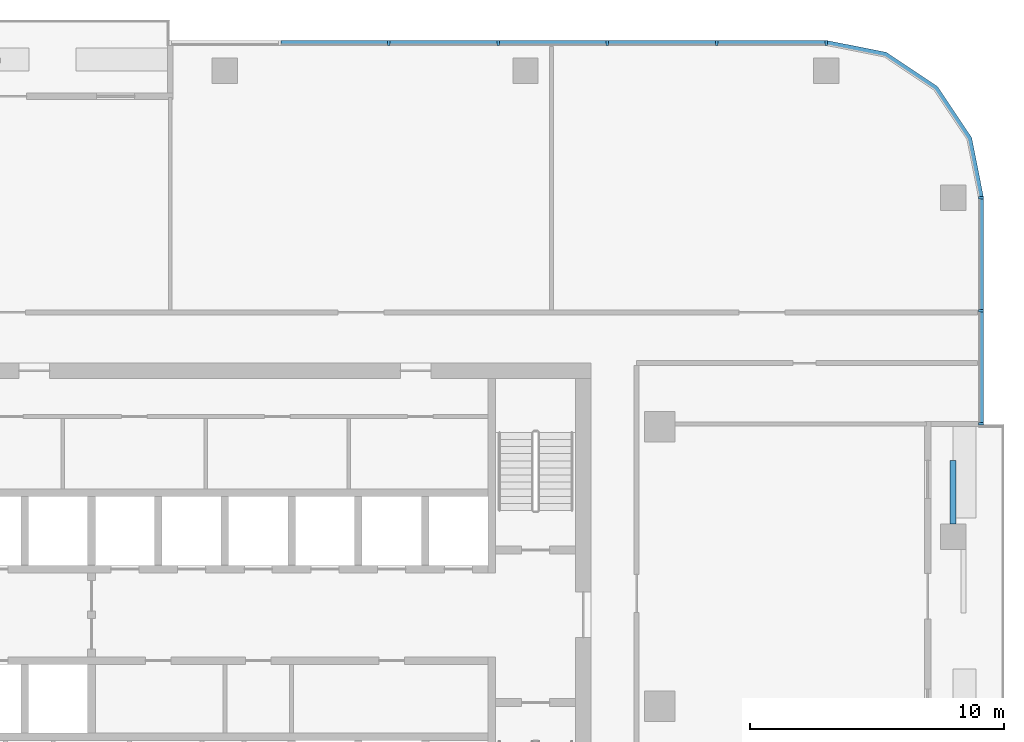
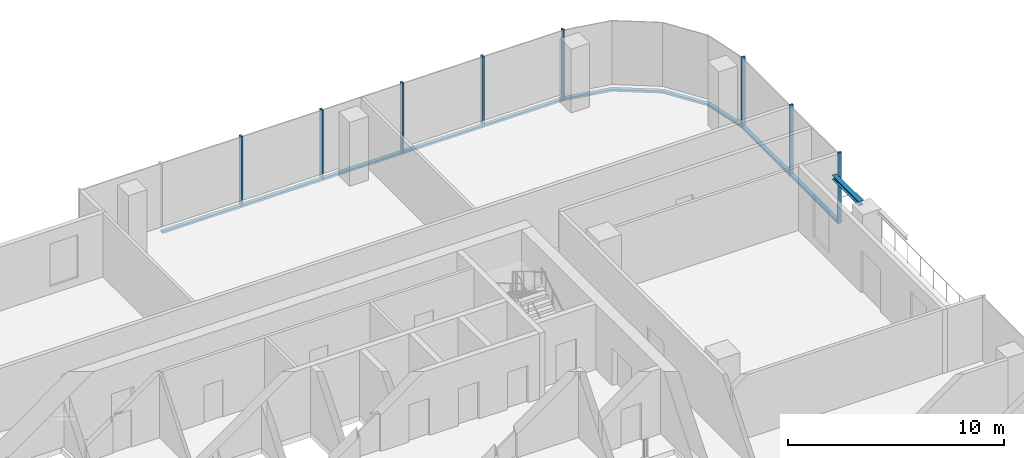
# One storey, part 5 of 13: 16 members, 1 beam, 3 elements without a shape of their own.
"""IFC4 building model written with IfcOpenShell, lengths in metres."""

import ifcopenshell
import ifcopenshell.guid

model = None  # the IFC model being written
_history = None  # IfcOwnerHistory: only IFC2X3 demands one
_inside = {}  # id of a spatial element -> (the spatial element, [elements in it])
_under = {}  # id of a project, library or spatial element -> (it, [spatial elements below it])
_declared = {}  # id of a project -> (the project, [libraries it declares])
_typed = {}  # id of a type object -> (the type object, [elements of that type])
_made_of = {}  # id of a material, layer set ... -> (it, [elements and type objects made of it])


def new_model(schema):
    """Start an empty IFC model of exactly this schema.

    Asked for "IFC4X3", IfcOpenShell would pick the latest addendum, in which some entities
    have other attributes; the version numbers below select the first issue.
    IFC2X3 requires an IfcOwnerHistory on every rooted entity: one is made here for all.
    """
    global model, _history
    if schema == "IFC4X3":
        model = ifcopenshell.file(schema_version=(4, 3, 0, 0))
    else:
        model = ifcopenshell.file(schema=schema)
    _inside.clear()
    _under.clear()
    _declared.clear()
    _typed.clear()
    _made_of.clear()
    _history = None
    if model.schema == "IFC2X3":
        org = make("IfcOrganization", Name="unknown")
        user = make(
            "IfcPersonAndOrganization",
            ThePerson=make("IfcPerson", FamilyName="unknown"),
            TheOrganization=org,
        )
        app = make(
            "IfcApplication",
            ApplicationDeveloper=org,
            Version="unknown",
            ApplicationFullName="unknown",
            ApplicationIdentifier="unknown",
        )
        _history = make(
            "IfcOwnerHistory",
            OwningUser=user,
            OwningApplication=app,
            ChangeAction="ADDED",
            CreationDate=0,
        )
    return model


def make(cls, **values):
    """One entity of the class cls with the attributes given. An attribute that is None is left unset."""
    return model.create_entity(
        cls, **{name: value for name, value in values.items() if value is not None}
    )


def rooted(cls, **values):
    """An entity with a GlobalId (a new one), such as an element, a storey or a relation."""
    return make(cls, GlobalId=ifcopenshell.guid.new(), OwnerHistory=_history, **values)


def si_unit(unit_type, name, prefix=None):
    """IfcSIUnit, for example si_unit("LENGTHUNIT", "METRE", prefix="MILLI")."""
    return make("IfcSIUnit", UnitType=unit_type, Prefix=prefix, Name=name)


def assignment(units):
    """IfcUnitAssignment: the units of a project."""
    return None if units is None else make("IfcUnitAssignment", Units=units)


def point(xyz):
    """IfcCartesianPoint."""
    return None if xyz is None else make("IfcCartesianPoint", Coordinates=xyz)


def direction(xyz):
    """IfcDirection."""
    return None if xyz is None else make("IfcDirection", DirectionRatios=xyz)


def frame(location, z_axis=None, x_axis=None):
    """IfcAxis2Placement3D, a coordinate frame: its origin and axes. An axis left out is left unset."""
    return make(
        "IfcAxis2Placement3D",
        Location=point(location),
        Axis=direction(z_axis),
        RefDirection=direction(x_axis),
    )


def frame_2d(location, x_axis=None):
    """IfcAxis2Placement2D, a coordinate frame in the plane: its origin and x axis."""
    return make(
        "IfcAxis2Placement2D", Location=point(location), RefDirection=direction(x_axis)
    )


def origin():
    """The frame at (0, 0, 0) with its axes left unset."""
    return frame((0.0, 0.0, 0.0))


def origin_2d():
    """The frame at (0, 0) in the plane with its x axis left unset."""
    return frame_2d((0.0, 0.0))


def place(relative_to, where):
    """IfcLocalPlacement: puts the frame where relative to a parent placement (None: the world)."""
    return make(
        "IfcLocalPlacement", PlacementRelTo=relative_to, RelativePlacement=where
    )


def context(
    kind, dimensions, precision=None, world=None, true_north=None, identifier=None
):
    """IfcGeometricRepresentationContext, for example the 3D "Model" context."""
    return make(
        "IfcGeometricRepresentationContext",
        ContextIdentifier=identifier,
        ContextType=kind,
        CoordinateSpaceDimension=dimensions,
        Precision=precision,
        WorldCoordinateSystem=world,
        TrueNorth=true_north,
    )


def subcontext(parent, identifier, kind, view, scale=None):
    """IfcGeometricRepresentationSubContext, for example "Body" below "Model"."""
    return make(
        "IfcGeometricRepresentationSubContext",
        ContextIdentifier=identifier,
        ContextType=kind,
        ParentContext=parent,
        TargetScale=scale,
        TargetView=view,
    )


def project(units=None, contexts=None):
    """IfcProject with its units and contexts."""
    return rooted(
        "IfcProject",
        Name="project",
        RepresentationContexts=contexts,
        UnitsInContext=assignment(units),
    )


def spatial(cls, under=None, at=None, **own):
    """A site, building, storey or space (cls), placed at a placement, below another one or the project."""
    s = rooted(cls, ObjectPlacement=at, **own)
    if under is not None:
        _under.setdefault(under.id(), (under, []))[1].append(s)
    return s


def polyline(points):
    """IfcPolyline through the points."""
    return make("IfcPolyline", Points=[point(p) for p in points])


def profile(cls, at=None, kind="AREA", **sizes):
    """A parametric profile (cls). Its sizes go by their IFC names, for example OverallWidth=200.0."""
    return make(cls, ProfileType=kind, Position=at, **sizes)


def rectangle(**sizes):
    """IfcRectangleProfileDef."""
    return profile("IfcRectangleProfileDef", **sizes)


def i_section(**sizes):
    """IfcIShapeProfileDef."""
    return profile("IfcIShapeProfileDef", **sizes)


def outline(outer, holes=None, kind="AREA"):
    """IfcArbitraryClosedProfileDef: a profile drawn as a closed curve; with holes, ...WithVoids."""
    if holes is None:
        return make("IfcArbitraryClosedProfileDef", ProfileType=kind, OuterCurve=outer)
    return make(
        "IfcArbitraryProfileDefWithVoids",
        ProfileType=kind,
        OuterCurve=outer,
        InnerCurves=holes,
    )


def extrude(swept, where, along, depth):
    """IfcExtrudedAreaSolid: the profile swept, set in the frame where, extruded along a direction by depth."""
    return make(
        "IfcExtrudedAreaSolid",
        SweptArea=swept,
        Position=where,
        ExtrudedDirection=direction(along),
        Depth=depth,
    )


def shape(context_of_items, identifier, shape_type, items):
    """IfcShapeRepresentation: the items that make up one representation, for example the "Body"."""
    return make(
        "IfcShapeRepresentation",
        ContextOfItems=context_of_items,
        RepresentationIdentifier=identifier,
        RepresentationType=shape_type,
        Items=items,
    )


def material(Name=None, Category=None):
    """IfcMaterial."""
    return make("IfcMaterial", Name=Name, Category=Category)


def material_profile(
    of_material, cross_section, Name=None, Category=None, Priority=None
):
    """IfcMaterialProfile: a cross section and its material."""
    return make(
        "IfcMaterialProfile",
        Name=Name,
        Material=of_material,
        Profile=cross_section,
        Priority=Priority,
        Category=Category,
    )


def profile_set(profiles, Name=None, composite=None):
    """IfcMaterialProfileSet."""
    return make(
        "IfcMaterialProfileSet",
        Name=Name,
        MaterialProfiles=profiles,
        CompositeProfile=composite,
    )


def made_of(thing, what):
    """Note that an element or type object is made of a material, layer set ...; save() writes the relation."""
    if what is not None:
        _made_of.setdefault(what.id(), (what, []))[1].append(thing)
    return thing


def type_object(cls, material=None, **own):
    """A type object (cls), such as IfcWallType, which elements share."""
    return made_of(rooted(cls, **own), material)


def element(
    cls,
    number,
    at=None,
    inside=None,
    cuts=None,
    type_object=None,
    material=None,
    context=None,
    identifier="Body",
    shape_type=None,
    held_by="IfcProductDefinitionShape",
    body=None,
    shapes=None,
    **own,
):
    """One element of the class cls, such as IfcWall. Its Tag is "e" and its number.

    at: its placement. inside: the storey or other place that contains it. cuts: it is an
    opening in that element (IfcRelVoidsElement). A single representation is given by context,
    identifier, shape_type and body (its items); several are given by shapes. held_by: the class
    of the entity that holds the representations. save() writes the other relations.
    """
    e = rooted(cls, Tag="e%d" % number, ObjectPlacement=at, **own)
    if body is not None:
        shapes = [shape(context, identifier, shape_type, body)]
    if shapes is not None:
        e.Representation = make(held_by, Representations=shapes)
    if inside is not None:
        _inside.setdefault(inside.id(), (inside, []))[1].append(e)
    if cuts is not None:
        rooted(
            "IfcRelVoidsElement", RelatingBuildingElement=cuts, RelatedOpeningElement=e
        )
    if type_object is not None:
        _typed.setdefault(type_object.id(), (type_object, []))[1].append(e)
    return made_of(e, material)


def aggregate(whole, parts):
    """IfcRelAggregates: a whole, such as a stair, and the parts it consists of."""
    return rooted("IfcRelAggregates", RelatingObject=whole, RelatedObjects=parts)


def save(model, path):
    """Write the relations noted so far, then the file.

    IfcRelAggregates (storeys below a building ...), IfcRelContainedInSpatialStructure (elements
    in a storey), IfcRelDefinesByType, IfcRelAssociatesMaterial and IfcRelDeclares: one each for
    every whole, place, type object, material and project.
    """
    for whole, parts in _under.values():
        aggregate(whole, parts)
    for where, things in _inside.values():
        rooted(
            "IfcRelContainedInSpatialStructure",
            RelatedElements=things,
            RelatingStructure=where,
        )
    for kind, things in _typed.values():
        rooted("IfcRelDefinesByType", RelatedObjects=things, RelatingType=kind)
    for what, things in _made_of.values():
        rooted("IfcRelAssociatesMaterial", RelatedObjects=things, RelatingMaterial=what)
    for by, libraries in _declared.values():
        rooted("IfcRelDeclares", RelatingContext=by, RelatedDefinitions=libraries)
    model.write(path)


model = new_model("IFC4")

# Units and contexts
model_context = context("Model", 3, precision=1e-05, world=origin(), true_north=direction((0.0, 1.0)))
body_context = subcontext(model_context, "Body", "Model", "MODEL_VIEW")
ifc_project = project(units=[si_unit("LENGTHUNIT", "METRE"), si_unit("AREAUNIT", "SQUARE_METRE"), si_unit("VOLUMEUNIT", "CUBIC_METRE"), si_unit("PLANEANGLEUNIT", "RADIAN"), si_unit("MASSUNIT", "GRAM", prefix="KILO")], contexts=[model_context])

# Site, building, storey
site_placement = place(None, origin())
site = spatial("IfcSite", under=ifc_project, at=site_placement, CompositionType="ELEMENT")
building_placement = place(site_placement, origin())
building = spatial("IfcBuilding", under=site, at=building_placement, Name="Mopane Tessera Tower", CompositionType="ELEMENT")
storey_placement = place(building_placement, frame((0.0, 0.0, 307.39990234375)))
storey = spatial("IfcBuildingStorey", under=building, at=storey_placement, Name="L67", CompositionType="ELEMENT", Elevation=307.39990234375)

# Curtain wall, members
ifc_material_1 = material(Name="Aluminium frame", Category="aluminium")
curtain_wall_type = type_object("IfcCurtainWallType", Name="Unitised curtain wall", PredefinedType="NOTDEFINED", material=ifc_material_1)
curtain_wall_1_placement = place(storey_placement, origin())
curtain_wall_1 = element("IfcCurtainWall", 1, at=curtain_wall_1_placement, inside=storey, type_object=curtain_wall_type, Name="e:cw:L67:E:7", PredefinedType="NOTDEFINED")
ifc_material_2 = material(Name="Aluminium frame", Category="aluminium")
ifc_material_profile_1 = material_profile(ifc_material_2, rectangle(XDim=0.10009765625, YDim=0.199951171875, at=origin_2d()))
ifc_profile_set_1 = profile_set([ifc_material_profile_1], Name="Aluminium frame")
member_type_1 = type_object("IfcMemberType", Name="Aluminium mullion 100 x 200", PredefinedType="MULLION", material=ifc_profile_set_1)
member_1_placement = place(storey_placement, frame((29.75, 11.111083984375, -0.39990234375), z_axis=(0.0, 0.0, 1.0), x_axis=(0.0, 1.0, 0.0)))
member_1 = element("IfcMember", 2, at=member_1_placement, type_object=member_type_1, Name="e:cw:L67:E:7:mu7", PredefinedType="MULLION", context=body_context, shape_type="SweptSolid", body=[
    extrude(rectangle(XDim=0.10009765625, YDim=0.199951171875, at=origin_2d()), origin(), (0.0, 0.0, 1.0), 4.0),
])
member_2_placement = place(storey_placement, frame((29.75, 15.5556640625, -0.39990234375), z_axis=(0.0, 0.0, 1.0), x_axis=(0.0, 1.0, 0.0)))
member_2 = element("IfcMember", 3, at=member_2_placement, type_object=member_type_1, Name="e:cw:L67:E:7:mu8", PredefinedType="MULLION", context=body_context, shape_type="SweptSolid", body=[
    extrude(rectangle(XDim=0.10009765625, YDim=0.199951171875, at=origin_2d()), origin(), (0.0, 0.0, 1.0), 4.0),
])
member_3_placement = place(storey_placement, frame((29.75, 20.0, -0.39990234375), z_axis=(0.0, 0.0, 1.0), x_axis=(0.0, 1.0, 0.0)))
member_3 = element("IfcMember", 4, at=member_3_placement, type_object=member_type_1, Name="e:cw:L67:E:7:mu9", PredefinedType="MULLION", context=body_context, shape_type="SweptSolid", body=[
    extrude(rectangle(XDim=0.10009765625, YDim=0.199951171875, at=origin_2d()), origin(), (0.0, 0.0, 1.0), 4.0),
])

curtain_wall_2_placement = place(storey_placement, origin())
curtain_wall_2 = element("IfcCurtainWall", 5, at=curtain_wall_2_placement, inside=storey, type_object=curtain_wall_type, Name="e:cw:L67:N:0", PredefinedType="NOTDEFINED")
member_4_placement = place(storey_placement, frame((23.64990234375, 26.10009765625, -0.39990234375), z_axis=(0.0, 0.0, 1.0), x_axis=(-1.0, 0.0, 0.0)))
member_4 = element("IfcMember", 6, at=member_4_placement, type_object=member_type_1, Name="e:cw:L67:N:0:mu0", PredefinedType="MULLION", context=body_context, shape_type="SweptSolid", body=[
    extrude(rectangle(XDim=0.10009765625, YDim=0.199951171875, at=origin_2d()), origin(), (0.0, 0.0, 1.0), 4.0),
])
member_5_placement = place(storey_placement, frame((19.35009765625, 26.10009765625, -0.39990234375), z_axis=(0.0, 0.0, 1.0), x_axis=(-1.0, 0.0, 0.0)))
member_5 = element("IfcMember", 7, at=member_5_placement, type_object=member_type_1, Name="e:cw:L67:N:0:mu1", PredefinedType="MULLION", context=body_context, shape_type="SweptSolid", body=[
    extrude(rectangle(XDim=0.10009765625, YDim=0.199951171875, at=origin_2d()), origin(), (0.0, 0.0, 1.0), 4.0),
])
member_6_placement = place(storey_placement, frame((15.050048828125, 26.10009765625, -0.39990234375), z_axis=(0.0, 0.0, 1.0), x_axis=(-1.0, 0.0, 0.0)))
member_6 = element("IfcMember", 8, at=member_6_placement, type_object=member_type_1, Name="e:cw:L67:N:0:mu2", PredefinedType="MULLION", context=body_context, shape_type="SweptSolid", body=[
    extrude(rectangle(XDim=0.10009765625, YDim=0.199951171875, at=origin_2d()), origin(), (0.0, 0.0, 1.0), 4.0),
])
member_7_placement = place(storey_placement, frame((10.75, 26.10009765625, -0.39990234375), z_axis=(0.0, 0.0, 1.0), x_axis=(-1.0, 0.0, 0.0)))
member_7 = element("IfcMember", 9, at=member_7_placement, type_object=member_type_1, Name="e:cw:L67:N:0:mu3", PredefinedType="MULLION", context=body_context, shape_type="SweptSolid", body=[
    extrude(rectangle(XDim=0.10009765625, YDim=0.199951171875, at=origin_2d()), origin(), (0.0, 0.0, 1.0), 4.0),
])
member_8_placement = place(storey_placement, frame((6.449951171875, 26.10009765625, -0.39990234375), z_axis=(0.0, 0.0, 1.0), x_axis=(-1.0, 0.0, 0.0)))
member_8 = element("IfcMember", 10, at=member_8_placement, type_object=member_type_1, Name="e:cw:L67:N:0:mu4", PredefinedType="MULLION", context=body_context, shape_type="SweptSolid", body=[
    extrude(rectangle(XDim=0.10009765625, YDim=0.199951171875, at=origin_2d()), origin(), (0.0, 0.0, 1.0), 4.0),
])

# Member
ifc_material_3 = material(Name="Aluminium frame", Category="aluminium")
ifc_material_profile_2 = material_profile(ifc_material_3, rectangle(XDim=0.199951171875, YDim=0.1201171875, at=origin_2d()))
ifc_profile_set_2 = profile_set([ifc_material_profile_2], Name="Aluminium frame")
member_type_2 = type_object("IfcMemberType", Name="Aluminium transom 200 x 120", PredefinedType="USERDEFINED", material=ifc_profile_set_2)
member_9_placement = place(storey_placement, frame((29.75, 11.1611328125, -0.33984375), z_axis=(0.0, 1.0, 0.0), x_axis=(-1.0, 0.0, 0.0)))
member_9 = element("IfcMember", 11, at=member_9_placement, type_object=member_type_2, Name="e:cw:L67:E:7:tr7", ObjectType="TRANSOM", PredefinedType="USERDEFINED", context=body_context, shape_type="SweptSolid", body=[
    extrude(rectangle(XDim=0.199951171875, YDim=0.1201171875, at=origin_2d()), origin(), (0.0, 0.0, 1.0), 4.344482421875),
])

member_10_placement = place(storey_placement, frame((29.75, 15.60546875, -0.33984375), z_axis=(0.0, 1.0, 0.0), x_axis=(-1.0, 0.0, 0.0)))
member_10 = element("IfcMember", 12, at=member_10_placement, type_object=member_type_2, Name="e:cw:L67:E:7:tr8", ObjectType="TRANSOM", PredefinedType="USERDEFINED", context=body_context, shape_type="SweptSolid", body=[
    extrude(rectangle(XDim=0.199951171875, YDim=0.1201171875, at=origin_2d()), origin(), (0.0, 0.0, 1.0), 4.344482421875),
])

aggregate(curtain_wall_1, [member_1, member_2, member_3, member_9, member_10])

# Curtain wall, member
curtain_wall_3_placement = place(storey_placement, origin())
curtain_wall_3 = element("IfcCurtainWall", 13, at=curtain_wall_3_placement, inside=storey, type_object=curtain_wall_type, Name="e:cw:L67:CE", PredefinedType="NOTDEFINED")
member_11_placement = place(storey_placement, frame((0.0, 0.0, -0.39990234375)))
member_11 = element("IfcMember", 14, at=member_11_placement, type_object=member_type_2, Name="e:cw:L67:CE:tr", ObjectType="TRANSOM", PredefinedType="USERDEFINED", context=body_context, shape_type="SweptSolid", body=[
    extrude(outline(polyline([(29.64990234375, 20.0), (29.193359375, 22.296142578125), (27.892578125, 24.24267578125), (25.946044921875, 25.543212890625), (23.64990234375, 26.0), (23.64990234375, 26.199951171875), (26.022705078125, 25.72802734375), (28.0341796875, 24.384033203125), (29.378173828125, 22.37255859375), (29.85009765625, 20.0), (29.64990234375, 20.0)])), origin(), (0.0, 0.0, 1.0), 0.1201171875),
])
aggregate(curtain_wall_3, [member_11])

# Member
member_12_placement = place(storey_placement, frame((23.60009765625, 26.10009765625, -0.33984375), z_axis=(-1.0, 0.0, 0.0), x_axis=(0.0, -1.0, 0.0)))
member_12 = element("IfcMember", 15, at=member_12_placement, type_object=member_type_2, Name="e:cw:L67:N:0:tr0", ObjectType="TRANSOM", PredefinedType="USERDEFINED", context=body_context, shape_type="SweptSolid", body=[
    extrude(rectangle(XDim=0.199951171875, YDim=0.1201171875, at=origin_2d()), origin(), (0.0, 0.0, 1.0), 4.2001953125),
])

member_13_placement = place(storey_placement, frame((19.300048828125, 26.10009765625, -0.33984375), z_axis=(-1.0, 0.0, 0.0), x_axis=(0.0, -1.0, 0.0)))
member_13 = element("IfcMember", 16, at=member_13_placement, type_object=member_type_2, Name="e:cw:L67:N:0:tr1", ObjectType="TRANSOM", PredefinedType="USERDEFINED", context=body_context, shape_type="SweptSolid", body=[
    extrude(rectangle(XDim=0.199951171875, YDim=0.1201171875, at=origin_2d()), origin(), (0.0, 0.0, 1.0), 4.199951171875),
])

member_14_placement = place(storey_placement, frame((15.0, 26.10009765625, -0.33984375), z_axis=(-1.0, 0.0, 0.0), x_axis=(0.0, -1.0, 0.0)))
member_14 = element("IfcMember", 17, at=member_14_placement, type_object=member_type_2, Name="e:cw:L67:N:0:tr2", ObjectType="TRANSOM", PredefinedType="USERDEFINED", context=body_context, shape_type="SweptSolid", body=[
    extrude(rectangle(XDim=0.199951171875, YDim=0.1201171875, at=origin_2d()), origin(), (0.0, 0.0, 1.0), 4.199951171875),
])

member_15_placement = place(storey_placement, frame((10.699951171875, 26.10009765625, -0.33984375), z_axis=(-1.0, 0.0, 0.0), x_axis=(0.0, -1.0, 0.0)))
member_15 = element("IfcMember", 18, at=member_15_placement, type_object=member_type_2, Name="e:cw:L67:N:0:tr3", ObjectType="TRANSOM", PredefinedType="USERDEFINED", context=body_context, shape_type="SweptSolid", body=[
    extrude(rectangle(XDim=0.199951171875, YDim=0.1201171875, at=origin_2d()), origin(), (0.0, 0.0, 1.0), 4.199951171875),
])

member_16_placement = place(storey_placement, frame((6.39990234375, 26.10009765625, -0.33984375), z_axis=(-1.0, 0.0, 0.0), x_axis=(0.0, -1.0, 0.0)))
member_16 = element("IfcMember", 19, at=member_16_placement, type_object=member_type_2, Name="e:cw:L67:N:0:tr4", ObjectType="TRANSOM", PredefinedType="USERDEFINED", context=body_context, shape_type="SweptSolid", body=[
    extrude(rectangle(XDim=0.199951171875, YDim=0.1201171875, at=origin_2d()), origin(), (0.0, 0.0, 1.0), 4.199951171875),
])

aggregate(curtain_wall_2, [member_4, member_5, member_6, member_7, member_8, member_12, member_13, member_14, member_15, member_16])

# Beam
ifc_material_4 = material(Name="Structural steel S460", Category="steel")
ifc_material_profile_3 = material_profile(ifc_material_4, i_section(OverallWidth=0.239990234375, OverallDepth=0.239990234375, WebThickness=0.010009765625, FlangeThickness=0.01708984375, FilletRadius=0.02099609375, at=origin_2d()))
ifc_profile_set_3 = profile_set([ifc_material_profile_3], Name="Structural steel S460")
beam_type = type_object("IfcBeamType", Name="Terrace spandrel beam HE 240 B", PredefinedType="SPANDREL", material=ifc_profile_set_3)
beam_placement = place(storey_placement, frame((28.64990234375, 7.169677734375, 3.47998046875), z_axis=(0.0, 1.0, 0.0), x_axis=(-1.0, 0.0, 0.0)))
element("IfcBeam", 20, at=beam_placement, inside=storey, type_object=beam_type, Name="Terrace spandrel beam N1 L68", PredefinedType="SPANDREL", context=body_context, shape_type="SweptSolid", body=[
    extrude(i_section(OverallWidth=0.239990234375, OverallDepth=0.239990234375, WebThickness=0.010009765625, FlangeThickness=0.01708984375, FilletRadius=0.02099609375, at=origin_2d()), origin(), (0.0, 0.0, 1.0), 2.5),
])

save(model, "model.ifc")
